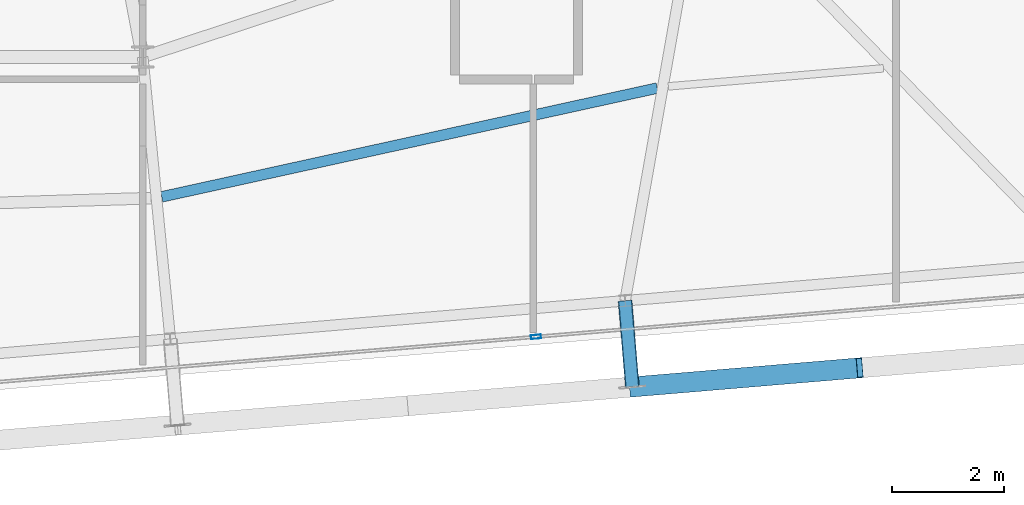
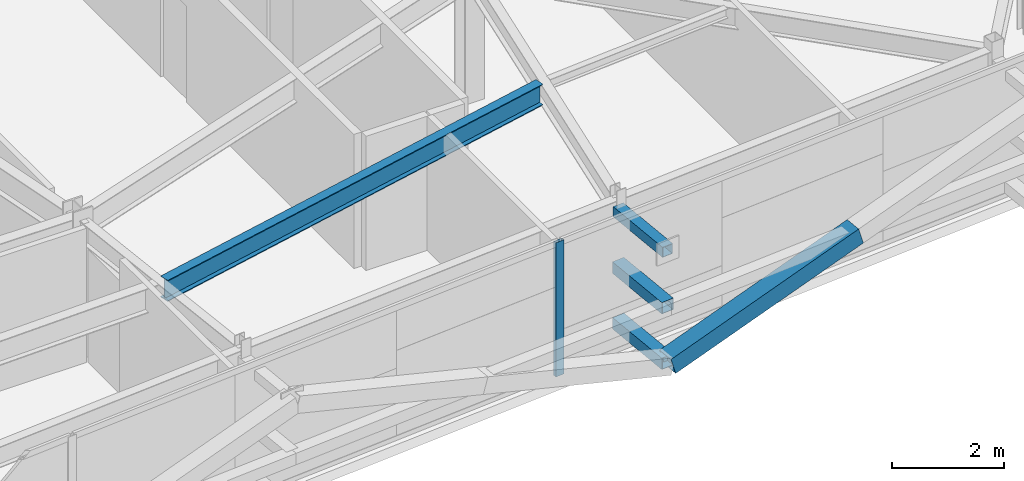
# One storey, part 16 of 37: 5 members, 1 beam, 1 element without a shape of its own.
"""IFC4 building model written with IfcOpenShell, lengths in metres."""

from ifc_helpers import new_model, si_unit, direction, frame, origin, origin_2d, place, context, subcontext, project, spatial, hollow_rectangle, i_section, extrude, source, transform, mapped, material, layer, layer_set, material_profile, profile_set, type_object, element, aggregate, save


model = new_model("IFC4")

# Units and contexts
model_context = context("Model", 3, precision=1e-05, world=origin(), true_north=direction((0.0, 1.0)))
body_context = subcontext(model_context, "Body", "Model", "MODEL_VIEW")
ifc_project = project(units=[si_unit("LENGTHUNIT", "METRE"), si_unit("AREAUNIT", "SQUARE_METRE"), si_unit("VOLUMEUNIT", "CUBIC_METRE"), si_unit("PLANEANGLEUNIT", "RADIAN"), si_unit("MASSUNIT", "GRAM", prefix="KILO")], contexts=[model_context])

# Site, building, storey
site_placement = place(None, origin())
site = spatial("IfcSite", under=ifc_project, at=site_placement, CompositionType="ELEMENT")
building_placement = place(site_placement, origin())
building = spatial("IfcBuilding", under=site, at=building_placement, Name="Taldren Reach Tower", CompositionType="ELEMENT")
storey_placement = place(building_placement, frame((0.0, 0.0, 172.550048828125)))
storey = spatial("IfcBuildingStorey", under=building, at=storey_placement, Name="L52", CompositionType="ELEMENT", Elevation=172.550048828125)

# Members
ifc_material_1 = material(Name="Steel Gr 350 (C350L0)", Category="steel")
ifc_material_profile_1 = material_profile(ifc_material_1, hollow_rectangle(XDim=0.25, YDim=0.25, WallThickness=0.010009765625, at=origin_2d()), Name="250x250x10.0SHS")
ifc_profile_set_1 = profile_set([ifc_material_profile_1], Name="Steel Gr 350 (C350L0)")
member_type_1 = type_object("IfcMemberType", Name="MB-POST250", PredefinedType="POST", material=ifc_profile_set_1)
shared_shape_1 = source(origin(), body_context, "Body", "SweptSolid", [
    extrude(hollow_rectangle(XDim=0.25, YDim=0.25, WallThickness=0.010009765625, at=origin_2d()), origin(), (0.0, 0.0, 1.0), 1.550048828125),
])
for number, where, z_axis, x_axis, name in (
    (1, (50.644775390625, 4.83203125, 0.219970703125), (0.083788408178, -0.996483568683, 0.0), (0.996483568683, 0.083788408178, 0.0), "Exoskeleton base diaphragm tie strut B4-S5 L52"),
    (2, (50.644775390625, 4.83203125, 1.43505859375), (0.083788408178, -0.996483568683, 0.0), (0.996483568683, 0.083788408178, 0.0), "Exoskeleton mid-tier diaphragm tie B4-S5 L52"),
):
    element("IfcMember", number, at=place(storey_placement, frame(where, z_axis=z_axis, x_axis=x_axis)), inside=storey, type_object=member_type_1, Name=name, PredefinedType="POST", context=body_context, shape_type="MappedRepresentation", body=[
        mapped(shared_shape_1, transform((0.0, 0.0, 0.0), scale=1.0)),
    ])

# Beam
ifc_material_2 = material(Name="Steel Gr 350 (350PLUS)", Category="steel")
ifc_material_profile_2 = material_profile(ifc_material_2, i_section(OverallWidth=0.19091796875, OverallDepth=0.4599609375, WebThickness=0.010009765625, FlangeThickness=0.01611328125, at=origin_2d()), Name="460UB82.1")
ifc_profile_set_2 = profile_set([ifc_material_profile_2], Name="Steel Gr 350 (350PLUS)")
beam_type = type_object("IfcBeamType", Name="BM-UB460A", PredefinedType="BEAM", material=ifc_profile_set_2)
shared_shape_2 = source(origin(), body_context, "Body", "SweptSolid", [
    extrude(i_section(OverallWidth=0.19091796875, OverallDepth=0.4599609375, WebThickness=0.010009765625, FlangeThickness=0.01611328125, at=origin_2d()), origin(), (0.0, 0.0, 1.0), 9.09228515625),
])
beam_placement = place(storey_placement, frame((42.3408203125, 6.6943359375, 2.699951171875), z_axis=(0.97674420602, 0.214407919647, 0.0), x_axis=(-0.214407919647, 0.97674420602, 0.0)))
element("IfcBeam", 3, at=beam_placement, inside=storey, type_object=beam_type, Name="Secondary floor beam B4 J4 L52", PredefinedType="BEAM", context=body_context, shape_type="MappedRepresentation", body=[
    mapped(shared_shape_2, transform((0.0, 0.0, 0.0), scale=1.0)),
])

# Members
ifc_material_3 = material(Name="Steel Gr 450 (C450L0)", Category="steel")
ifc_material_profile_3 = material_profile(ifc_material_3, hollow_rectangle(XDim=0.219970703125, YDim=0.219970703125, WallThickness=0.00830078125, at=origin_2d()), Name="220x220x8.2SHS")
ifc_profile_set_3 = profile_set([ifc_material_profile_3], Name="Steel Gr 450 (C450L0)")
member_type_2 = type_object("IfcMemberType", Name="MB-TIE219", PredefinedType="STRUT", material=ifc_profile_set_3)
shared_shape_3 = source(origin(), body_context, "Body", "SweptSolid", [
    extrude(hollow_rectangle(XDim=0.219970703125, YDim=0.219970703125, WallThickness=0.00830078125, at=origin_2d()), origin(), (0.0, 0.0, 1.0), 1.550048828125),
])
member_1_placement = place(storey_placement, frame((50.644775390625, 4.83203125, 2.64990234375), z_axis=(0.083788408178, -0.996483568683, 0.0), x_axis=(0.996483568683, 0.083788408178, 0.0)))
element("IfcMember", 4, at=member_1_placement, inside=storey, type_object=member_type_2, Name="Exoskeleton diaphragm tie strut B4-S5 L52", PredefinedType="STRUT", context=body_context, shape_type="MappedRepresentation", body=[
    mapped(shared_shape_3, transform((0.0, 0.0, 0.0), scale=1.0)),
])
ifc_material_profile_4 = material_profile(ifc_material_3, hollow_rectangle(XDim=0.360107421875, YDim=0.360107421875, WallThickness=0.0126953125, at=origin_2d()), Name="360x360x12.7SHS")
ifc_profile_set_4 = profile_set([ifc_material_profile_4], Name="Steel Gr 450 (C450L0)")
member_type_3 = type_object("IfcMemberType", Name="MB-EXO356", PredefinedType="BRACE", material=ifc_profile_set_4)
shared_shape_4 = source(origin(), body_context, "Body", "SweptSolid", [
    extrude(hollow_rectangle(XDim=0.360107421875, YDim=0.360107421875, WallThickness=0.0126953125, at=origin_2d()), origin(), (0.0, 0.0, 1.0), 4.2666015625),
])
member_2_placement = place(storey_placement, frame((50.774658203125, 3.287353515625, 0.219970703125), z_axis=(0.955229159097, 0.080222312271, 0.284783486572), x_axis=(-0.083687662192, 0.996492034688, 0.0)))
element("IfcMember", 5, at=member_2_placement, inside=storey, type_object=member_type_3, Name="Exoskeleton Diagrid Brace B4-S5 L52", PredefinedType="BRACE", context=body_context, shape_type="MappedRepresentation", body=[
    mapped(shared_shape_4, transform((0.0, 0.0, 0.0), scale=1.0)),
])

# Curtain wall, member
ifc_material_4 = material(Name="Aluminium and Low-E Glass Unitised System", Category="aluminium")
ifc_layer = layer(ifc_material_4, 0.159912109375)
ifc_layer_set = layer_set([ifc_layer], Name="Aluminium and Low-E Glass Unitised System")
curtain_wall_type = type_object("IfcCurtainWallType", Name="CW-SYS-5", PredefinedType="NOTDEFINED", material=ifc_layer_set)
curtain_wall_placement = place(storey_placement, origin())
curtain_wall = element("IfcCurtainWall", 6, at=curtain_wall_placement, inside=storey, type_object=curtain_wall_type, Name="Unitised curtain wall CW-L52-S", PredefinedType="NOTDEFINED")
ifc_material_5 = material(Name="Anodised Aluminium 6063-T6", Category="aluminium")
ifc_material_profile_5 = material_profile(ifc_material_5, hollow_rectangle(XDim=0.070068359375, YDim=0.179931640625, WallThickness=0.00390625, at=origin_2d()), Name="ALU-180x70x4RHS")
ifc_profile_set_5 = profile_set([ifc_material_profile_5], Name="Anodised Aluminium 6063-T6")
member_type_4 = type_object("IfcMemberType", Name="CW-MUL-180", PredefinedType="MULLION", material=ifc_profile_set_5)
shared_shape_5 = source(origin(), body_context, "Body", "SweptSolid", [
    extrude(hollow_rectangle(XDim=0.070068359375, YDim=0.179931640625, WallThickness=0.00390625, at=origin_2d()), origin(), (0.0, 0.0, 1.0), 2.929931640625),
])
member_3_placement = place(storey_placement, frame((49.04833984375, 4.18603515625, 0.0), z_axis=(0.0, 0.0, 1.0), x_axis=(-0.083677894865, 0.996492854922, 0.0)))
member_3 = element("IfcMember", 7, at=member_3_placement, type_object=member_type_4, Name="CW-5 mullion 4", PredefinedType="MULLION", context=body_context, shape_type="MappedRepresentation", body=[
    mapped(shared_shape_5, transform((0.0, 0.0, 0.0), scale=1.0)),
])
aggregate(curtain_wall, [member_3])

save(model, "model.ifc")
